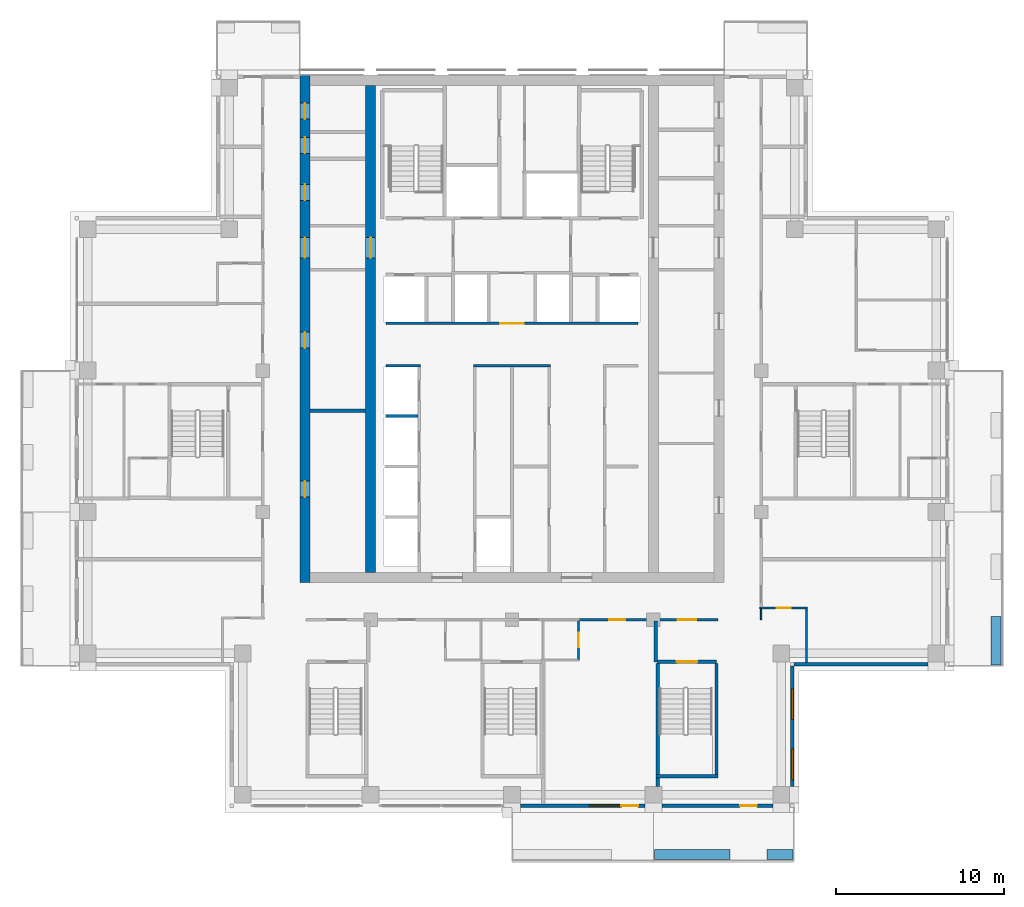
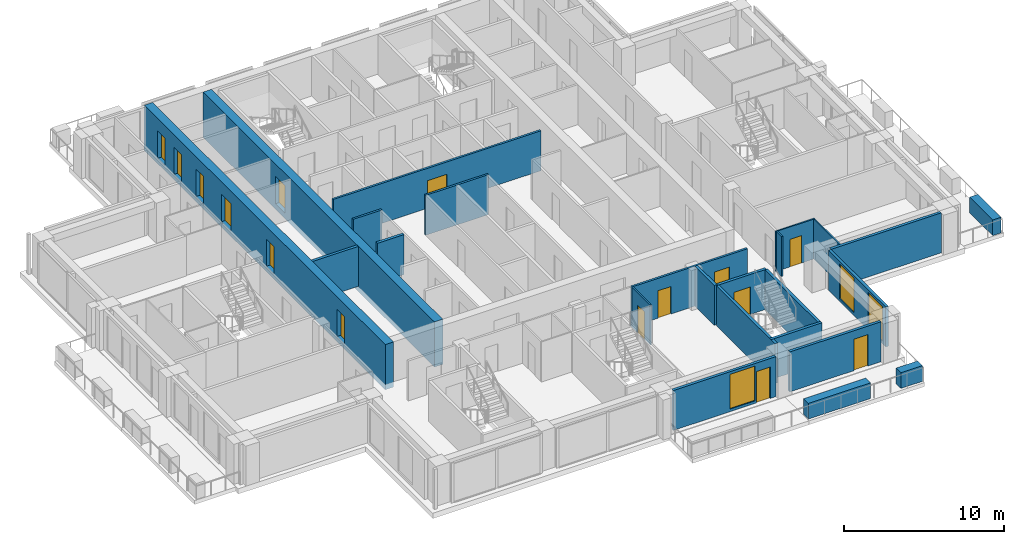
# One storey, part 10 of 17: 24 walls, 15 doors, 3 windows, 18 openings.
"""IFC4 building model written with IfcOpenShell, lengths in metres."""

from ifc_helpers import new_model, si_unit, direction, frame, frame_2d, origin, place, context, subcontext, project, spatial, rectangle, extrude, material, layer, layer_set, type_object, element, fill, save


model = new_model("IFC4")

# Units and contexts
model_context = context("Model", 3, precision=1e-05, world=origin(), true_north=direction((0.0, 1.0)))
body_context = subcontext(model_context, "Body", "Model", "MODEL_VIEW")
ifc_project = project(units=[si_unit("LENGTHUNIT", "METRE"), si_unit("AREAUNIT", "SQUARE_METRE"), si_unit("VOLUMEUNIT", "CUBIC_METRE"), si_unit("PLANEANGLEUNIT", "RADIAN"), si_unit("MASSUNIT", "GRAM", prefix="KILO")], contexts=[model_context])

# Site, building, storey
site_placement = place(None, origin())
site = spatial("IfcSite", under=ifc_project, at=site_placement, CompositionType="ELEMENT")
building_placement = place(site_placement, origin())
building = spatial("IfcBuilding", under=site, at=building_placement, Name="Vermilion Ogive Tower", CompositionType="ELEMENT")
storey_placement = place(building_placement, frame((0.0, 0.0, 203.14990234375)))
storey = spatial("IfcBuildingStorey", under=building, at=storey_placement, Name="L53", CompositionType="ELEMENT", Elevation=203.14990234375)

# Wall, openings, doors
ifc_material_1 = material(Name="Concrete B60", Category="concrete")
ifc_layer_1 = layer(ifc_material_1, 0.60009765625)
ifc_layer_set_1 = layer_set([ifc_layer_1], Name="Core wall 600 B60")
wall_type_1 = type_object("IfcWallType", Name="Core wall 600 B60", PredefinedType="SHEAR", material=ifc_layer_set_1)
wall_1_placement = place(storey_placement, frame((-12.300048828125, -8.39990234375, -0.39990234375), z_axis=(0.0, 0.0, 1.0), x_axis=(0.0, 1.0, 0.0)))
wall_1 = element("IfcWall", 1, at=wall_1_placement, inside=storey, type_object=wall_type_1, Name="L53-CORE-W", PredefinedType="SHEAR", context=body_context, shape_type="SweptSolid", body=[
    extrude(rectangle(XDim=30.14990234375, YDim=0.60009765625, at=frame_2d((15.074951171875, 0.0))), origin(), (0.0, 0.0, 1.0), 3.449951171875),
])
opening_1_placement = place(wall_1_placement, frame((5.0830078125, 0.0, 0.39990234375)))
opening_1 = element("IfcOpeningElement", 2, at=opening_1_placement, cuts=wall_1, Name="Opening DAD084", PredefinedType="OPENING", context=body_context, shape_type="SweptSolid", body=[
    extrude(rectangle(XDim=0.949951171875, YDim=2.10009765625, at=frame_2d((0.47509765625, 1.050048828125))), frame((0.0, 0.31005859375, 0.0), z_axis=(0.0, -1.0, 0.0), x_axis=(1.0, 0.0, 0.0)), (0.0, 0.0, 1.0), 0.6201171875),
])
opening_2_placement = place(wall_1_placement, frame((13.932861328125, 0.0, 0.39990234375)))
opening_2 = element("IfcOpeningElement", 3, at=opening_2_placement, cuts=wall_1, Name="Opening DAD085", PredefinedType="OPENING", context=body_context, shape_type="SweptSolid", body=[
    extrude(rectangle(XDim=0.949951171875, YDim=2.10009765625, at=frame_2d((0.47509765625, 1.050048828125))), frame((0.0, 0.31005859375, 0.0), z_axis=(0.0, -1.0, 0.0), x_axis=(1.0, 0.0, 0.0)), (0.0, 0.0, 1.0), 0.6201171875),
])
opening_3_placement = place(wall_1_placement, frame((22.718994140625, 0.0, 0.39990234375)))
opening_3 = element("IfcOpeningElement", 4, at=opening_3_placement, cuts=wall_1, Name="Opening DAD086", PredefinedType="OPENING", context=body_context, shape_type="SweptSolid", body=[
    extrude(rectangle(XDim=0.949951171875, YDim=2.10009765625, at=frame_2d((0.47509765625, 1.050048828125))), frame((0.0, 0.31005859375, 0.0), z_axis=(0.0, -1.0, 0.0), x_axis=(1.0, 0.0, 0.0)), (0.0, 0.0, 1.0), 0.6201171875),
])
opening_4_placement = place(wall_1_placement, frame((25.505615234375, 0.0, 0.39990234375)))
opening_4 = element("IfcOpeningElement", 5, at=opening_4_placement, cuts=wall_1, Name="Opening DAD087", PredefinedType="OPENING", context=body_context, shape_type="SweptSolid", body=[
    extrude(rectangle(XDim=0.949951171875, YDim=2.10009765625, at=frame_2d((0.47509765625, 1.050048828125))), frame((0.0, 0.31005859375, 0.0), z_axis=(0.0, -1.0, 0.0), x_axis=(1.0, 0.0, 0.0)), (0.0, 0.0, 1.0), 0.6201171875),
])
opening_5_placement = place(wall_1_placement, frame((27.53662109375, 0.0, 0.39990234375)))
opening_5 = element("IfcOpeningElement", 6, at=opening_5_placement, cuts=wall_1, Name="Opening DAD088", PredefinedType="OPENING", context=body_context, shape_type="SweptSolid", body=[
    extrude(rectangle(XDim=0.949951171875, YDim=2.10009765625, at=frame_2d((0.47509765625, 1.050048828125))), frame((0.0, 0.31005859375, 0.0), z_axis=(0.0, -1.0, 0.0), x_axis=(1.0, 0.0, 0.0)), (0.0, 0.0, 1.0), 0.6201171875),
])
opening_6_placement = place(wall_1_placement, frame((19.300048828125, 0.0, 0.39990234375)))
opening_6 = element("IfcOpeningElement", 7, at=opening_6_placement, cuts=wall_1, Name="Opening DAM021", PredefinedType="OPENING", context=body_context, shape_type="SweptSolid", body=[
    extrude(rectangle(XDim=1.199951171875, YDim=2.10009765625, at=frame_2d((0.60009765625, 1.050048828125))), frame((0.0, 0.31005859375, 0.0), z_axis=(0.0, -1.0, 0.0), x_axis=(1.0, 0.0, 0.0)), (0.0, 0.0, 1.0), 0.6201171875),
])
ifc_material_2 = material(Name="Timber door leaf", Category="wood")
door_type_1 = type_object("IfcDoorType", Name="Link door 1200 x 2100 FD60S", OperationType="SINGLE_SWING_LEFT", PredefinedType="DOOR", material=ifc_material_2)
door_1_placement = place(opening_6_placement, origin())
door_1 = element("IfcDoor", 8, at=door_1_placement, inside=storey, type_object=door_type_1, Name="L53-CKW-XL", OperationType="SINGLE_SWING_LEFT", OverallHeight=2.10009765625, OverallWidth=1.199951171875, PredefinedType="DOOR", context=body_context, shape_type="SweptSolid", body=[
    extrude(rectangle(XDim=1.199951171875, YDim=2.10009765625, at=frame_2d((0.60009765625, 1.050048828125))), frame((0.0, 0.02490234375, 0.0), z_axis=(0.0, -1.0, 0.0), x_axis=(1.0, 0.0, 0.0)), (0.0, 0.0, 1.0), 0.050048828125),
])
fill(opening_6, door_1)
ifc_material_3 = material(Name="Timber door leaf", Category="wood")
door_type_2 = type_object("IfcDoorType", Name="Service door 950 x 2100 FD60", OperationType="SINGLE_SWING_LEFT", PredefinedType="DOOR", material=ifc_material_3)
door_2_placement = place(opening_1_placement, origin())
door_2 = element("IfcDoor", 9, at=door_2_placement, inside=storey, type_object=door_type_2, Name="L53-CKW-XR0", OperationType="SINGLE_SWING_LEFT", OverallHeight=2.10009765625, OverallWidth=0.949951171875, PredefinedType="DOOR", context=body_context, shape_type="SweptSolid", body=[
    extrude(rectangle(XDim=0.949951171875, YDim=2.10009765625, at=frame_2d((0.47509765625, 1.050048828125))), frame((0.0, 0.02490234375, 0.0), z_axis=(0.0, -1.0, 0.0), x_axis=(1.0, 0.0, 0.0)), (0.0, 0.0, 1.0), 0.050048828125),
])
fill(opening_1, door_2)
door_3_placement = place(opening_2_placement, origin())
door_3 = element("IfcDoor", 10, at=door_3_placement, inside=storey, type_object=door_type_2, Name="L53-CKW-XR1", OperationType="SINGLE_SWING_LEFT", OverallHeight=2.10009765625, OverallWidth=0.949951171875, PredefinedType="DOOR", context=body_context, shape_type="SweptSolid", body=[
    extrude(rectangle(XDim=0.949951171875, YDim=2.10009765625, at=frame_2d((0.47509765625, 1.050048828125))), frame((0.0, 0.02490234375, 0.0), z_axis=(0.0, -1.0, 0.0), x_axis=(1.0, 0.0, 0.0)), (0.0, 0.0, 1.0), 0.050048828125),
])
fill(opening_2, door_3)
door_4_placement = place(opening_3_placement, origin())
door_4 = element("IfcDoor", 11, at=door_4_placement, inside=storey, type_object=door_type_2, Name="L53-CKW-XR2", OperationType="SINGLE_SWING_LEFT", OverallHeight=2.10009765625, OverallWidth=0.949951171875, PredefinedType="DOOR", context=body_context, shape_type="SweptSolid", body=[
    extrude(rectangle(XDim=0.949951171875, YDim=2.10009765625, at=frame_2d((0.47509765625, 1.050048828125))), frame((0.0, 0.02490234375, 0.0), z_axis=(0.0, -1.0, 0.0), x_axis=(1.0, 0.0, 0.0)), (0.0, 0.0, 1.0), 0.050048828125),
])
fill(opening_3, door_4)
door_5_placement = place(opening_4_placement, origin())
door_5 = element("IfcDoor", 12, at=door_5_placement, inside=storey, type_object=door_type_2, Name="L53-CKW-XR3", OperationType="SINGLE_SWING_LEFT", OverallHeight=2.10009765625, OverallWidth=0.949951171875, PredefinedType="DOOR", context=body_context, shape_type="SweptSolid", body=[
    extrude(rectangle(XDim=0.949951171875, YDim=2.10009765625, at=frame_2d((0.47509765625, 1.050048828125))), frame((0.0, 0.02490234375, 0.0), z_axis=(0.0, -1.0, 0.0), x_axis=(1.0, 0.0, 0.0)), (0.0, 0.0, 1.0), 0.050048828125),
])
fill(opening_4, door_5)
door_6_placement = place(opening_5_placement, origin())
door_6 = element("IfcDoor", 13, at=door_6_placement, inside=storey, type_object=door_type_2, Name="L53-CKW-XR4", OperationType="SINGLE_SWING_LEFT", OverallHeight=2.10009765625, OverallWidth=0.949951171875, PredefinedType="DOOR", context=body_context, shape_type="SweptSolid", body=[
    extrude(rectangle(XDim=0.949951171875, YDim=2.10009765625, at=frame_2d((0.47509765625, 1.050048828125))), frame((0.0, 0.02490234375, 0.0), z_axis=(0.0, -1.0, 0.0), x_axis=(1.0, 0.0, 0.0)), (0.0, 0.0, 1.0), 0.050048828125),
])
fill(opening_5, door_6)

# Wall, opening, door
wall_2_placement = place(storey_placement, frame((-8.39990234375, -7.800048828125, -0.39990234375), z_axis=(0.0, 0.0, 1.0), x_axis=(0.0, 1.0, 0.0)))
wall_2 = element("IfcWall", 14, at=wall_2_placement, inside=storey, type_object=wall_type_1, Name="L53-CORE-WEB1", PredefinedType="SHEAR", context=body_context, shape_type="SweptSolid", body=[
    extrude(rectangle(XDim=28.949951171875, YDim=0.60009765625, at=frame_2d((14.47509765625, 0.0))), origin(), (0.0, 0.0, 1.0), 3.449951171875),
])
opening_7_placement = place(wall_2_placement, frame((18.699951171875, 0.0, 0.39990234375)))
opening_7 = element("IfcOpeningElement", 15, at=opening_7_placement, cuts=wall_2, Name="Opening DAP016", PredefinedType="OPENING", context=body_context, shape_type="SweptSolid", body=[
    extrude(rectangle(XDim=1.199951171875, YDim=2.10009765625, at=frame_2d((0.60009765625, 1.050048828125))), frame((0.0, 0.31005859375, 0.0), z_axis=(0.0, -1.0, 0.0), x_axis=(1.0, 0.0, 0.0)), (0.0, 0.0, 1.0), 0.6201171875),
])
door_7_placement = place(opening_7_placement, origin())
door_7 = element("IfcDoor", 16, at=door_7_placement, inside=storey, type_object=door_type_1, Name="L53-CKW-XW", OperationType="SINGLE_SWING_LEFT", OverallHeight=2.10009765625, OverallWidth=1.199951171875, PredefinedType="DOOR", context=body_context, shape_type="SweptSolid", body=[
    extrude(rectangle(XDim=1.199951171875, YDim=2.10009765625, at=frame_2d((0.60009765625, 1.050048828125))), frame((0.0, 0.02490234375, 0.0), z_axis=(0.0, -1.0, 0.0), x_axis=(1.0, 0.0, 0.0)), (0.0, 0.0, 1.0), 0.050048828125),
])
fill(opening_7, door_7)

ifc_material_4 = material(Name="Gypsum board partition on steel studs", Category="steel")
ifc_layer_2 = layer(ifc_material_4, 0.10009765625)
ifc_layer_set_2 = layer_set([ifc_layer_2], Name="Partition 100 bath")
wall_type_2 = type_object("IfcWallType", Name="Partition 100 bath", PredefinedType="PARTITIONING", material=ifc_layer_set_2)
wall_3_placement = place(storey_placement, frame((14.72509765625, -9.89990234375, 0.0), z_axis=(0.0, 0.0, 1.0), x_axis=(1.0, 0.0, 0.0)))
wall_3 = element("IfcWall", 17, at=wall_3_placement, inside=storey, type_object=wall_type_2, Name="L53-W-W013", PredefinedType="PARTITIONING", context=body_context, shape_type="SweptSolid", body=[
    extrude(rectangle(XDim=2.824951171875, YDim=0.10009765625, at=frame_2d((1.41259765625, 0.0))), origin(), (0.0, 0.0, 1.0), 3.050048828125),
])
opening_8_placement = place(wall_3_placement, frame((1.0, 0.0, 0.0)))
opening_8 = element("IfcOpeningElement", 18, at=opening_8_placement, cuts=wall_3, Name="Opening D4G4016", PredefinedType="OPENING", context=body_context, shape_type="SweptSolid", body=[
    extrude(rectangle(XDim=0.85009765625, YDim=2.10009765625, at=frame_2d((0.425048828125, 1.050048828125))), frame((0.0, 0.06005859375, 0.0), z_axis=(0.0, -1.0, 0.0), x_axis=(1.0, 0.0, 0.0)), (0.0, 0.0, 1.0), 0.1201171875),
])
ifc_material_5 = material(Name="Timber door leaf", Category="wood")
door_type_3 = type_object("IfcDoorType", Name="Bath door 850 x 2100 FD30", OperationType="SINGLE_SWING_LEFT", PredefinedType="DOOR", material=ifc_material_5)
door_8_placement = place(opening_8_placement, origin())
door_8 = element("IfcDoor", 19, at=door_8_placement, inside=storey, type_object=door_type_3, Name="L53-D-D016", OperationType="SINGLE_SWING_RIGHT", OverallHeight=2.10009765625, OverallWidth=0.85009765625, PredefinedType="DOOR", context=body_context, shape_type="SweptSolid", body=[
    extrude(rectangle(XDim=0.85009765625, YDim=2.10009765625, at=frame_2d((0.425048828125, 1.050048828125))), frame((0.0, 0.02490234375, 0.0), z_axis=(0.0, -1.0, 0.0), x_axis=(1.0, 0.0, 0.0)), (0.0, 0.0, 1.0), 0.050048828125),
])
fill(opening_8, door_8)

wall_4_placement = place(storey_placement, frame((3.949951171875, -12.949951171875, 0.0), z_axis=(0.0, 0.0, 1.0), x_axis=(0.0, 1.0, 0.0)))
wall_4 = element("IfcWall", 20, at=wall_4_placement, inside=storey, type_object=wall_type_2, Name="L53-W-W053", PredefinedType="PARTITIONING", context=body_context, shape_type="SweptSolid", body=[
    extrude(rectangle(XDim=2.27490234375, YDim=0.10009765625, at=frame_2d((1.137451171875, 0.0))), origin(), (0.0, 0.0, 1.0), 3.050048828125),
])
opening_9_placement = place(wall_4_placement, frame((0.724853515625, 0.0, 0.0)))
opening_9 = element("IfcOpeningElement", 21, at=opening_9_placement, cuts=wall_4, Name="Opening D4G4014", PredefinedType="OPENING", context=body_context, shape_type="SweptSolid", body=[
    extrude(rectangle(XDim=0.85009765625, YDim=2.10009765625, at=frame_2d((0.425048828125, 1.050048828125))), frame((0.0, 0.06005859375, 0.0), z_axis=(0.0, -1.0, 0.0), x_axis=(1.0, 0.0, 0.0)), (0.0, 0.0, 1.0), 0.1201171875),
])
door_9_placement = place(opening_9_placement, origin())
door_9 = element("IfcDoor", 22, at=door_9_placement, inside=storey, type_object=door_type_3, Name="L53-D-D014", OperationType="SINGLE_SWING_LEFT", OverallHeight=2.10009765625, OverallWidth=0.85009765625, PredefinedType="DOOR", context=body_context, shape_type="SweptSolid", body=[
    extrude(rectangle(XDim=0.85009765625, YDim=2.10009765625, at=frame_2d((0.425048828125, 1.050048828125))), frame((0.0, 0.02490234375, 0.0), z_axis=(0.0, -1.0, 0.0), x_axis=(1.0, 0.0, 0.0)), (0.0, 0.0, 1.0), 0.050048828125),
])
fill(opening_9, door_9)

# Walls
wall_5_placement = place(storey_placement, frame((14.800048828125, -10.60009765625, 0.0), z_axis=(0.0, 0.0, 1.0), x_axis=(0.0, 1.0, 0.0)))
element("IfcWall", 23, at=wall_5_placement, inside=storey, type_object=wall_type_2, Name="L53-W-W055", PredefinedType="PARTITIONING", context=body_context, shape_type="SweptSolid", body=[
    extrude(rectangle(XDim=0.650146484375, YDim=0.10009765625, at=frame_2d((0.3251953125, 0.0))), origin(), (0.0, 0.0, 1.0), 3.050048828125),
])
wall_6_placement = place(storey_placement, frame((17.5, -13.14990234375, 0.0), z_axis=(0.0, 0.0, 1.0), x_axis=(0.0, 1.0, 0.0)))
element("IfcWall", 24, at=wall_6_placement, inside=storey, type_object=wall_type_2, Name="L53-W-W058", PredefinedType="PARTITIONING", context=body_context, shape_type="SweptSolid", body=[
    extrude(rectangle(XDim=3.199951171875, YDim=0.10009765625, at=frame_2d((1.60009765625, 0.0))), origin(), (0.0, 0.0, 1.0), 3.050048828125),
])

# Wall, openings, doors
ifc_material_6 = material(Name="Gypsum board partition on steel studs", Category="steel")
ifc_layer_3 = layer(ifc_material_6, 0.14990234375)
ifc_layer_set_3 = layer_set([ifc_layer_3], Name="Partition 150 corridor")
wall_type_3 = type_object("IfcWallType", Name="Partition 150 corridor", PredefinedType="PARTITIONING", material=ifc_layer_set_3)
wall_7_placement = place(storey_placement, frame((3.89990234375, -10.60009765625, 0.0), z_axis=(0.0, 0.0, 1.0), x_axis=(1.0, 0.0, 0.0)))
wall_7 = element("IfcWall", 25, at=wall_7_placement, inside=storey, type_object=wall_type_3, Name="L53-W-W011", PredefinedType="PARTITIONING", context=body_context, shape_type="SweptSolid", body=[
    extrude(rectangle(XDim=8.35009765625, YDim=0.14990234375, at=frame_2d((4.175048828125, 0.0))), origin(), (0.0, 0.0, 1.0), 3.050048828125),
])
opening_10_placement = place(wall_7_placement, frame((1.875, 0.0, 0.0)))
opening_10 = element("IfcOpeningElement", 26, at=opening_10_placement, cuts=wall_7, Name="Opening D4G4013", PredefinedType="OPENING", context=body_context, shape_type="SweptSolid", body=[
    extrude(rectangle(XDim=0.949951171875, YDim=2.10009765625, at=frame_2d((0.47509765625, 1.050048828125))), frame((0.0, 0.0849609375, 0.0), z_axis=(0.0, -1.0, 0.0), x_axis=(1.0, 0.0, 0.0)), (0.0, 0.0, 1.0), 0.169921875),
])
opening_11_placement = place(wall_7_placement, frame((5.9501953125, 0.0, 0.0)))
opening_11 = element("IfcOpeningElement", 27, at=opening_11_placement, cuts=wall_7, Name="Opening D4G4029", PredefinedType="OPENING", context=body_context, shape_type="SweptSolid", body=[
    extrude(rectangle(XDim=1.10009765625, YDim=2.10009765625, at=frame_2d((0.550048828125, 1.050048828125))), frame((0.0, 0.0849609375, 0.0), z_axis=(0.0, -1.0, 0.0), x_axis=(1.0, 0.0, 0.0)), (0.0, 0.0, 1.0), 0.169921875),
])
ifc_material_7 = material(Name="Timber door leaf", Category="wood")
door_type_4 = type_object("IfcDoorType", Name="Stair door 1100 x 2100 FD60S", OperationType="SINGLE_SWING_LEFT", PredefinedType="DOOR", material=ifc_material_7)
door_10_placement = place(opening_11_placement, origin())
door_10 = element("IfcDoor", 28, at=door_10_placement, inside=storey, type_object=door_type_4, Name="L53-D-D029", OperationType="SINGLE_SWING_LEFT", OverallHeight=2.10009765625, OverallWidth=1.10009765625, PredefinedType="DOOR", context=body_context, shape_type="SweptSolid", body=[
    extrude(rectangle(XDim=1.10009765625, YDim=2.10009765625, at=frame_2d((0.550048828125, 1.050048828125))), frame((0.0, 0.02490234375, 0.0), z_axis=(0.0, -1.0, 0.0), x_axis=(1.0, 0.0, 0.0)), (0.0, 0.0, 1.0), 0.050048828125),
])
fill(opening_11, door_10)
ifc_material_8 = material(Name="Timber door leaf", Category="wood")
door_type_5 = type_object("IfcDoorType", Name="Unit door 950 x 2100 FD30S", OperationType="SINGLE_SWING_LEFT", PredefinedType="DOOR", material=ifc_material_8)
door_11_placement = place(opening_10_placement, origin())
door_11 = element("IfcDoor", 29, at=door_11_placement, inside=storey, type_object=door_type_5, Name="L53-D-D013", OperationType="SINGLE_SWING_LEFT", OverallHeight=2.10009765625, OverallWidth=0.949951171875, PredefinedType="DOOR", context=body_context, shape_type="SweptSolid", body=[
    extrude(rectangle(XDim=0.949951171875, YDim=2.10009765625, at=frame_2d((0.47509765625, 1.050048828125))), frame((0.0, 0.02490234375, 0.0), z_axis=(0.0, -1.0, 0.0), x_axis=(1.0, 0.0, 0.0)), (0.0, 0.0, 1.0), 0.050048828125),
])
fill(opening_10, door_11)

# Walls
wall_8_placement = place(storey_placement, frame((-7.5, 4.5, 0.0), z_axis=(0.0, 0.0, 1.0), x_axis=(1.0, 0.0, 0.0)))
element("IfcWall", 30, at=wall_8_placement, inside=storey, type_object=wall_type_3, Name="L53-CK-W-W007", PredefinedType="PARTITIONING", context=body_context, shape_type="SweptSolid", body=[
    extrude(rectangle(XDim=2.074951171875, YDim=0.14990234375, at=frame_2d((1.03759765625, 0.0))), origin(), (0.0, 0.0, 1.0), 3.050048828125),
])
wall_9_placement = place(storey_placement, frame((-2.27490234375, 4.5, 0.0), z_axis=(0.0, 0.0, 1.0), x_axis=(1.0, 0.0, 0.0)))
element("IfcWall", 31, at=wall_9_placement, inside=storey, type_object=wall_type_3, Name="L53-CK-W-W008", PredefinedType="PARTITIONING", context=body_context, shape_type="SweptSolid", body=[
    extrude(rectangle(XDim=4.5498046875, YDim=0.14990234375, at=frame_2d((2.27490234375, 0.0))), origin(), (0.0, 0.0, 1.0), 3.050048828125),
])

# Wall, opening, door
wall_10_placement = place(storey_placement, frame((-7.5, 7.0, 0.0), z_axis=(0.0, 0.0, 1.0), x_axis=(1.0, 0.0, 0.0)))
wall_10 = element("IfcWall", 32, at=wall_10_placement, inside=storey, type_object=wall_type_3, Name="L53-CK-W-W010", PredefinedType="PARTITIONING", context=body_context, shape_type="SweptSolid", body=[
    extrude(rectangle(XDim=15.0, YDim=0.14990234375, at=frame_2d((7.5, 0.0))), origin(), (0.0, 0.0, 1.0), 3.050048828125),
])
opening_12_placement = place(wall_10_placement, frame((6.800048828125, 0.0, 0.0)))
opening_12 = element("IfcOpeningElement", 33, at=opening_12_placement, cuts=wall_10, Name="Opening DAA469", PredefinedType="OPENING", context=body_context, shape_type="SweptSolid", body=[
    extrude(rectangle(XDim=1.39990234375, YDim=2.10009765625, at=frame_2d((0.699951171875, 1.050048828125))), frame((0.0, 0.0849609375, 0.0), z_axis=(0.0, -1.0, 0.0), x_axis=(1.0, 0.0, 0.0)), (0.0, 0.0, 1.0), 0.169921875),
])
ifc_material_9 = material(Name="Timber door leaf", Category="wood")
door_type_6 = type_object("IfcDoorType", Name="Lobby door 1400 x 2100 FD60S", OperationType="SINGLE_SWING_LEFT", PredefinedType="DOOR", material=ifc_material_9)
door_12_placement = place(opening_12_placement, origin())
door_12 = element("IfcDoor", 34, at=door_12_placement, inside=storey, type_object=door_type_6, Name="L53-CK-D-D015", OperationType="SINGLE_SWING_RIGHT", OverallHeight=2.10009765625, OverallWidth=1.39990234375, PredefinedType="DOOR", context=body_context, shape_type="SweptSolid", body=[
    extrude(rectangle(XDim=1.39990234375, YDim=2.10009765625, at=frame_2d((0.699951171875, 1.050048828125))), frame((0.0, 0.02490234375, 0.0), z_axis=(0.0, -1.0, 0.0), x_axis=(1.0, 0.0, 0.0)), (0.0, 0.0, 1.0), 0.050048828125),
])
fill(opening_12, door_12)

# Walls
ifc_material_10 = material(Name="Gypsum board partition on steel studs", Category="steel")
ifc_layer_4 = layer(ifc_material_10, 0.199951171875)
ifc_layer_set_4 = layer_set([ifc_layer_4], Name="Partition 200 party")
wall_type_4 = type_object("IfcWallType", Name="Partition 200 party", PredefinedType="PARTITIONING", material=ifc_layer_set_4)
wall_11_placement = place(storey_placement, frame((8.550048828125, -13.10009765625, 0.0), z_axis=(0.0, 0.0, 1.0), x_axis=(0.0, 1.0, 0.0)))
element("IfcWall", 35, at=wall_11_placement, inside=storey, type_object=wall_type_4, Name="L53-W-W054", PredefinedType="PARTITIONING", context=body_context, shape_type="SweptSolid", body=[
    extrude(rectangle(XDim=2.425048828125, YDim=0.199951171875, at=frame_2d((1.21240234375, 0.0))), origin(), (0.0, 0.0, 1.0), 3.050048828125),
])
wall_12_placement = place(storey_placement, frame((-7.5, 1.5, 0.0), z_axis=(0.0, 0.0, 1.0), x_axis=(1.0, 0.0, 0.0)))
element("IfcWall", 36, at=wall_12_placement, inside=storey, type_object=wall_type_4, Name="L53-CK-W-W006", PredefinedType="PARTITIONING", context=body_context, shape_type="SweptSolid", body=[
    extrude(rectangle(XDim=1.925048828125, YDim=0.199951171875, at=frame_2d((0.96240234375, 0.0))), origin(), (0.0, 0.0, 1.0), 3.050048828125),
])
wall_13_placement = place(storey_placement, frame((-11.9990234375, 1.81591796875, 0.0), z_axis=(0.0, 0.0, 1.0), x_axis=(1.0, 0.0, 0.0)))
element("IfcWall", 37, at=wall_13_placement, inside=storey, type_object=wall_type_4, Name="L53-CKW-W-W001", PredefinedType="PARTITIONING", context=body_context, shape_type="SweptSolid", body=[
    extrude(rectangle(XDim=3.298095703125, YDim=0.199951171875, at=frame_2d((1.64892578125, 0.0))), origin(), (0.0, 0.0, 1.0), 3.050048828125),
])

# Wall, opening, door
ifc_material_11 = material(Name="Concrete B60", Category="concrete")
ifc_layer_5 = layer(ifc_material_11, 0.199951171875)
ifc_layer_set_5 = layer_set([ifc_layer_5], Name="Stair shaft wall 200 Concrete B60")
wall_type_5 = type_object("IfcWallType", Name="Stair shaft wall 200 Concrete B60", PredefinedType="SOLIDWALL", material=ifc_layer_set_5)
wall_14_placement = place(storey_placement, frame((8.64990234375, -13.10009765625, 0.0), z_axis=(0.0, 0.0, 1.0), x_axis=(1.0, 0.0, 0.0)))
wall_14 = element("IfcWall", 38, at=wall_14_placement, inside=storey, type_object=wall_type_5, Name="L53-W-W004", PredefinedType="SOLIDWALL", context=body_context, shape_type="SweptSolid", body=[
    extrude(rectangle(XDim=3.5, YDim=0.199951171875, at=frame_2d((1.75, 0.0))), origin(), (0.0, 0.0, 1.0), 3.050048828125),
])
opening_13_placement = place(wall_14_placement, frame((1.150146484375, 0.0, 0.0)))
opening_13 = element("IfcOpeningElement", 39, at=opening_13_placement, cuts=wall_14, Name="Opening D4G4030", PredefinedType="OPENING", context=body_context, shape_type="SweptSolid", body=[
    extrude(rectangle(XDim=1.199951171875, YDim=2.10009765625, at=frame_2d((0.60009765625, 1.050048828125))), frame((0.0, 0.10986328125, 0.0), z_axis=(0.0, -1.0, 0.0), x_axis=(1.0, 0.0, 0.0)), (0.0, 0.0, 1.0), 0.219970703125),
])
ifc_material_12 = material(Name="Timber door leaf", Category="wood")
door_type_7 = type_object("IfcDoorType", Name="Stair door 1200 x 2100 FD60S", OperationType="SINGLE_SWING_LEFT", PredefinedType="DOOR", material=ifc_material_12)
door_13_placement = place(opening_13_placement, origin())
door_13 = element("IfcDoor", 40, at=door_13_placement, inside=storey, type_object=door_type_7, Name="L53-D-D030", OperationType="SINGLE_SWING_RIGHT", OverallHeight=2.10009765625, OverallWidth=1.199951171875, PredefinedType="DOOR", context=body_context, shape_type="SweptSolid", body=[
    extrude(rectangle(XDim=1.199951171875, YDim=2.10009765625, at=frame_2d((0.60009765625, 1.050048828125))), frame((0.0, 0.02490234375, 0.0), z_axis=(0.0, -1.0, 0.0), x_axis=(1.0, 0.0, 0.0)), (0.0, 0.0, 1.0), 0.050048828125),
])
fill(opening_13, door_13)

# Walls
wall_15_placement = place(storey_placement, frame((8.550048828125, -19.89990234375, 0.0), z_axis=(0.0, 0.0, 1.0), x_axis=(1.0, 0.0, 0.0)))
element("IfcWall", 41, at=wall_15_placement, inside=storey, type_object=wall_type_5, Name="L53-SW-ST5-S1", PredefinedType="SOLIDWALL", context=body_context, shape_type="SweptSolid", body=[
    extrude(rectangle(XDim=3.699951171875, YDim=0.199951171875, at=frame_2d((1.85009765625, 0.0))), origin(), (0.0, 0.0, 1.0), 3.050048828125),
])
wall_16_placement = place(storey_placement, frame((8.64990234375, -20.5, 0.0), z_axis=(0.0, 0.0, 1.0), x_axis=(0.0, 1.0, 0.0)))
element("IfcWall", 42, at=wall_16_placement, inside=storey, type_object=wall_type_5, Name="L53-SW-ST5-W1", PredefinedType="SOLIDWALL", context=body_context, shape_type="SweptSolid", body=[
    extrude(rectangle(XDim=7.300048828125, YDim=0.199951171875, at=frame_2d((3.64990234375, 0.0))), origin(), (0.0, 0.0, 1.0), 3.050048828125),
])
wall_17_placement = place(storey_placement, frame((12.14990234375, -19.800048828125, 0.0), z_axis=(0.0, 0.0, 1.0), x_axis=(0.0, 1.0, 0.0)))
element("IfcWall", 43, at=wall_17_placement, inside=storey, type_object=wall_type_5, Name="L53-SW-ST5-E1", PredefinedType="SOLIDWALL", context=body_context, shape_type="SweptSolid", body=[
    extrude(rectangle(XDim=6.60009765625, YDim=0.199951171875, at=frame_2d((3.300048828125, 0.0))), origin(), (0.0, 0.0, 1.0), 3.050048828125),
])
ifc_material_13 = material(Name="Concrete B40", Category="concrete")
ifc_layer_6 = layer(ifc_material_13, 0.60009765625)
ifc_layer_set_6 = layer_set([ifc_layer_6], Name="Structural planter")
wall_type_6 = type_object("IfcWallType", Name="Structural planter", PredefinedType="USERDEFINED", material=ifc_layer_set_6)
wall_18_placement = place(storey_placement, frame((8.4599609375, -24.550048828125, -0.039794921875), z_axis=(0.0, 0.0, 1.0), x_axis=(1.0, 0.0, 0.0)))
element("IfcWall", 44, at=wall_18_placement, inside=storey, type_object=wall_type_6, Name="Planter S04A1", ObjectType="PLANTER", PredefinedType="USERDEFINED", context=body_context, shape_type="SweptSolid", body=[
    extrude(rectangle(XDim=4.489990234375, YDim=0.60009765625, at=frame_2d((2.2451171875, 0.0))), origin(), (0.0, 0.0, 1.0), 1.199951171875),
])
wall_19_placement = place(storey_placement, frame((15.14990234375, -24.550048828125, -0.039794921875), z_axis=(0.0, 0.0, 1.0), x_axis=(1.0, 0.0, 0.0)))
element("IfcWall", 45, at=wall_19_placement, inside=storey, type_object=wall_type_6, Name="Planter S04A2", ObjectType="PLANTER", PredefinedType="USERDEFINED", context=body_context, shape_type="SweptSolid", body=[
    extrude(rectangle(XDim=1.5400390625, YDim=0.60009765625, at=frame_2d((0.77001953125, 0.0))), origin(), (0.0, 0.0, 1.0), 1.199951171875),
])
wall_20_placement = place(storey_placement, frame((28.75, -13.2900390625, -0.039794921875), z_axis=(0.0, 0.0, 1.0), x_axis=(0.0, 1.0, 0.0)))
element("IfcWall", 46, at=wall_20_placement, inside=storey, type_object=wall_type_6, Name="Planter E01A1", ObjectType="PLANTER", PredefinedType="USERDEFINED", context=body_context, shape_type="SweptSolid", body=[
    extrude(rectangle(XDim=2.89013671875, YDim=0.60009765625, at=frame_2d((1.445068359375, 0.0))), origin(), (0.0, 0.0, 1.0), 1.199951171875),
])

# Wall, openings, door, window
ifc_material_14 = material(Name="Aluminium window wall framing", Category="aluminium")
ifc_layer_7 = layer(ifc_material_14, 0.199951171875)
ifc_layer_set_7 = layer_set([ifc_layer_7], Name="Window wall")
wall_type_7 = type_object("IfcWallType", Name="Window wall", PredefinedType="STANDARD", material=ifc_layer_set_7)
wall_21_placement = place(storey_placement, frame((0.5, -21.64990234375, 0.0), z_axis=(0.0, 0.0, 1.0), x_axis=(1.0, 0.0, 0.0)))
wall_21 = element("IfcWall", 47, at=wall_21_placement, inside=storey, type_object=wall_type_7, Name="Window wall S3", PredefinedType="STANDARD", context=body_context, shape_type="SweptSolid", body=[
    extrude(rectangle(XDim=7.39990234375, YDim=0.199951171875, at=frame_2d((3.699951171875, 0.0))), origin(), (0.0, 0.0, 1.0), 3.050048828125),
])
opening_14_placement = place(wall_21_placement, frame((4.10009765625, 0.0, 0.199951171875)))
opening_14 = element("IfcOpeningElement", 48, at=opening_14_placement, cuts=wall_21, Name="Opening W1-S01", PredefinedType="OPENING", context=body_context, shape_type="SweptSolid", body=[
    extrude(rectangle(XDim=1.800048828125, YDim=2.64990234375, at=frame_2d((0.89990234375, 1.324951171875))), frame((0.0, 0.10986328125, 0.0), z_axis=(0.0, -1.0, 0.0), x_axis=(1.0, 0.0, 0.0)), (0.0, 0.0, 1.0), 0.219970703125),
])
opening_15_placement = place(wall_21_placement, frame((6.0, 0.0, 0.0)))
opening_15 = element("IfcOpeningElement", 49, at=opening_15_placement, cuts=wall_21, Name="Opening D1-S01", PredefinedType="OPENING", context=body_context, shape_type="SweptSolid", body=[
    extrude(rectangle(XDim=1.0, YDim=2.39990234375, at=frame_2d((0.5, 1.199951171875))), frame((0.0, 0.10986328125, 0.0), z_axis=(0.0, -1.0, 0.0), x_axis=(1.0, 0.0, 0.0)), (0.0, 0.0, 1.0), 0.219970703125),
])
ifc_material_15 = material(Name="Aluminium framed glazed door", Category="aluminium")
door_type_8 = type_object("IfcDoorType", Name="Balcony door D1", OperationType="SINGLE_SWING_LEFT", PredefinedType="DOOR", material=ifc_material_15)
door_14_placement = place(opening_15_placement, origin())
door_14 = element("IfcDoor", 50, at=door_14_placement, inside=storey, type_object=door_type_8, Name="Balcony door S01", OperationType="SINGLE_SWING_LEFT", OverallHeight=2.39990234375, OverallWidth=1.0, PredefinedType="DOOR", context=body_context, shape_type="SweptSolid", body=[
    extrude(rectangle(XDim=1.0, YDim=2.39990234375, at=frame_2d((0.5, 1.199951171875))), frame((0.0, 0.02490234375, 0.0), z_axis=(0.0, -1.0, 0.0), x_axis=(1.0, 0.0, 0.0)), (0.0, 0.0, 1.0), 0.050048828125),
])
fill(opening_15, door_14)
ifc_material_16 = material(Name="Aluminium framed double glazing", Category="aluminium")
window_type = type_object("IfcWindowType", Name="Guest window W1", PartitioningType="SINGLE_PANEL", PredefinedType="WINDOW", material=ifc_material_16)
window_1_placement = place(opening_14_placement, origin())
window_1 = element("IfcWindow", 51, at=window_1_placement, inside=storey, type_object=window_type, Name="Window S01", OverallHeight=2.64990234375, OverallWidth=1.800048828125, PartitioningType="SINGLE_PANEL", PredefinedType="WINDOW", context=body_context, shape_type="SweptSolid", body=[
    extrude(rectangle(XDim=1.800048828125, YDim=2.64990234375, at=frame_2d((0.89990234375, 1.324951171875))), frame((0.0, 0.030029296875, 0.0), z_axis=(0.0, -1.0, 0.0), x_axis=(1.0, 0.0, 0.0)), (0.0, 0.0, 1.0), 0.06005859375),
])
fill(opening_14, window_1)

# Wall, opening, door
wall_22_placement = place(storey_placement, frame((8.89990234375, -21.64990234375, 0.0), z_axis=(0.0, 0.0, 1.0), x_axis=(1.0, 0.0, 0.0)))
wall_22 = element("IfcWall", 52, at=wall_22_placement, inside=storey, type_object=wall_type_7, Name="Window wall S4", PredefinedType="STANDARD", context=body_context, shape_type="SweptSolid", body=[
    extrude(rectangle(XDim=6.60009765625, YDim=0.199951171875, at=frame_2d((3.300048828125, 0.0))), origin(), (0.0, 0.0, 1.0), 3.050048828125),
])
opening_16_placement = place(wall_22_placement, frame((4.64990234375, 0.0, 0.0)))
opening_16 = element("IfcOpeningElement", 53, at=opening_16_placement, cuts=wall_22, Name="Opening D1-S03K", PredefinedType="OPENING", context=body_context, shape_type="SweptSolid", body=[
    extrude(rectangle(XDim=1.0, YDim=2.39990234375, at=frame_2d((0.5, 1.199951171875))), frame((0.0, 0.10986328125, 0.0), z_axis=(0.0, -1.0, 0.0), x_axis=(1.0, 0.0, 0.0)), (0.0, 0.0, 1.0), 0.219970703125),
])
door_15_placement = place(opening_16_placement, origin())
door_15 = element("IfcDoor", 54, at=door_15_placement, inside=storey, type_object=door_type_8, Name="Balcony door S03K", OperationType="SINGLE_SWING_LEFT", OverallHeight=2.39990234375, OverallWidth=1.0, PredefinedType="DOOR", context=body_context, shape_type="SweptSolid", body=[
    extrude(rectangle(XDim=1.0, YDim=2.39990234375, at=frame_2d((0.5, 1.199951171875))), frame((0.0, 0.02490234375, 0.0), z_axis=(0.0, -1.0, 0.0), x_axis=(1.0, 0.0, 0.0)), (0.0, 0.0, 1.0), 0.050048828125),
])
fill(opening_16, door_15)

# Wall, openings, windows
wall_23_placement = place(storey_placement, frame((16.64990234375, -20.5, 0.0), z_axis=(0.0, 0.0, 1.0), x_axis=(0.0, 1.0, 0.0)))
wall_23 = element("IfcWall", 55, at=wall_23_placement, inside=storey, type_object=wall_type_7, Name="Window wall X11", PredefinedType="STANDARD", context=body_context, shape_type="SweptSolid", body=[
    extrude(rectangle(XDim=7.14990234375, YDim=0.199951171875, at=frame_2d((3.574951171875, 0.0))), origin(), (0.0, 0.0, 1.0), 3.050048828125),
])
opening_17_placement = place(wall_23_placement, frame((0.39990234375, 0.0, 0.199951171875)))
opening_17 = element("IfcOpeningElement", 56, at=opening_17_placement, cuts=wall_23, Name="Opening W1-X195", PredefinedType="OPENING", context=body_context, shape_type="SweptSolid", body=[
    extrude(rectangle(XDim=1.800048828125, YDim=2.64990234375, at=frame_2d((0.89990234375, 1.324951171875))), frame((0.0, 0.10986328125, 0.0), z_axis=(0.0, -1.0, 0.0), x_axis=(1.0, 0.0, 0.0)), (0.0, 0.0, 1.0), 0.219970703125),
])
opening_18_placement = place(wall_23_placement, frame((3.97509765625, 0.0, 0.199951171875)))
opening_18 = element("IfcOpeningElement", 57, at=opening_18_placement, cuts=wall_23, Name="Opening W1-X196", PredefinedType="OPENING", context=body_context, shape_type="SweptSolid", body=[
    extrude(rectangle(XDim=1.800048828125, YDim=2.64990234375, at=frame_2d((0.89990234375, 1.324951171875))), frame((0.0, 0.10986328125, 0.0), z_axis=(0.0, -1.0, 0.0), x_axis=(1.0, 0.0, 0.0)), (0.0, 0.0, 1.0), 0.219970703125),
])
window_2_placement = place(opening_17_placement, origin())
window_2 = element("IfcWindow", 58, at=window_2_placement, inside=storey, type_object=window_type, Name="Window X195", OverallHeight=2.64990234375, OverallWidth=1.800048828125, PartitioningType="SINGLE_PANEL", PredefinedType="WINDOW", context=body_context, shape_type="SweptSolid", body=[
    extrude(rectangle(XDim=1.800048828125, YDim=2.64990234375, at=frame_2d((0.89990234375, 1.324951171875))), frame((0.0, 0.030029296875, 0.0), z_axis=(0.0, -1.0, 0.0), x_axis=(1.0, 0.0, 0.0)), (0.0, 0.0, 1.0), 0.06005859375),
])
fill(opening_17, window_2)
window_3_placement = place(opening_18_placement, origin())
window_3 = element("IfcWindow", 59, at=window_3_placement, inside=storey, type_object=window_type, Name="Window X196", OverallHeight=2.64990234375, OverallWidth=1.800048828125, PartitioningType="SINGLE_PANEL", PredefinedType="WINDOW", context=body_context, shape_type="SweptSolid", body=[
    extrude(rectangle(XDim=1.800048828125, YDim=2.64990234375, at=frame_2d((0.89990234375, 1.324951171875))), frame((0.0, 0.030029296875, 0.0), z_axis=(0.0, -1.0, 0.0), x_axis=(1.0, 0.0, 0.0)), (0.0, 0.0, 1.0), 0.06005859375),
])
fill(opening_18, window_3)

# Wall
wall_24_placement = place(storey_placement, frame((16.75, -13.25, 0.0), z_axis=(0.0, 0.0, 1.0), x_axis=(1.0, 0.0, 0.0)))
element("IfcWall", 60, at=wall_24_placement, inside=storey, type_object=wall_type_7, Name="Window wall X21", PredefinedType="STANDARD", context=body_context, shape_type="SweptSolid", body=[
    extrude(rectangle(XDim=7.949951171875, YDim=0.199951171875, at=frame_2d((3.97509765625, 0.0))), origin(), (0.0, 0.0, 1.0), 3.050048828125),
])

save(model, "model.ifc")
